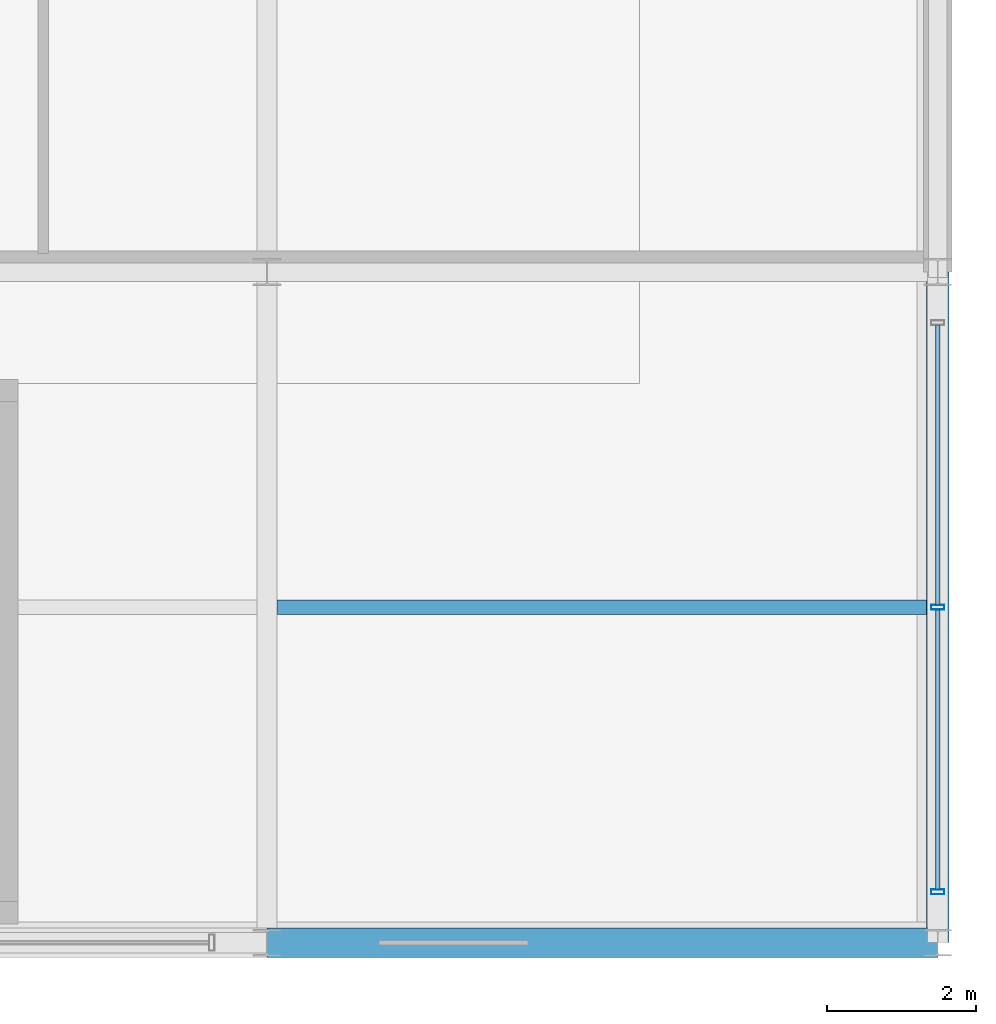
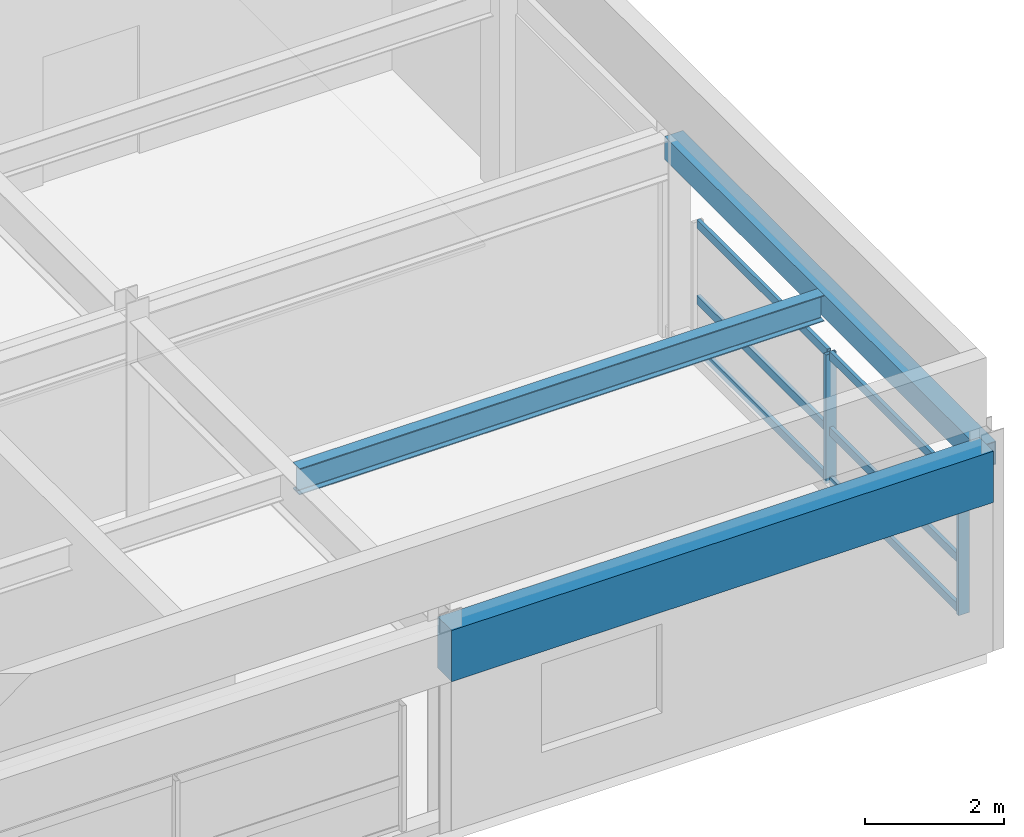
# One storey, part 52 of 108: 8 members, 3 beams, 1 element without a shape of its own.
"""IFC4 building model written with IfcOpenShell, lengths in metres."""

from ifc_helpers import new_model, si_unit, direction, frame, origin, origin_2d, place, context, subcontext, project, spatial, rectangle, hollow_rectangle, i_section, extrude, material, material_profile, profile_set, type_object, element, aggregate, save


model = new_model("IFC4")

# Units and contexts
model_context = context("Model", 3, precision=1e-05, world=origin(), true_north=direction((0.0, 1.0)))
body_context = subcontext(model_context, "Body", "Model", "MODEL_VIEW")
ifc_project = project(units=[si_unit("LENGTHUNIT", "METRE"), si_unit("AREAUNIT", "SQUARE_METRE"), si_unit("VOLUMEUNIT", "CUBIC_METRE"), si_unit("PLANEANGLEUNIT", "RADIAN"), si_unit("MASSUNIT", "GRAM", prefix="KILO")], contexts=[model_context])

# Site, building, storey
site_placement = place(None, origin())
site = spatial("IfcSite", under=ifc_project, at=site_placement, CompositionType="ELEMENT")
building_placement = place(site_placement, origin())
building = spatial("IfcBuilding", under=site, at=building_placement, Name="Kaldorvane Square Convention Centre", CompositionType="ELEMENT")
storey_placement = place(building_placement, frame((0.0, 0.0, 23.399993896484375)))
storey = spatial("IfcBuildingStorey", under=building, at=storey_placement, Name="L04", CompositionType="ELEMENT", Elevation=23.399993896484375)

# Beams
ifc_material_1 = material(Name="Steel ASTM A992 Gr. 50", Category="steel")
ifc_material_profile_1 = material_profile(ifc_material_1, i_section(OverallWidth=0.1912994384765625, OverallDepth=0.4600067138671875, WebThickness=0.0099029541015625, FlangeThickness=0.0160064697265625, FilletRadius=0.01019287109375, at=origin_2d()), Name="W18X55")
ifc_profile_set_1 = profile_set([ifc_material_profile_1], Name="Steel ASTM A992 Gr. 50")
beam_type_1 = type_object("IfcBeamType", Name="BM-JS-W18X55", PredefinedType="JOIST", material=ifc_profile_set_1)
beam_1_placement = place(storey_placement, frame((165.13330078125, 4.5, 3.2960052490234375), z_axis=(1.0, 0.0, 0.0), x_axis=(0.0, 1.0, 0.0)))
element("IfcBeam", 1, at=beam_1_placement, inside=storey, type_object=beam_type_1, Name="Secondary Floor Joist (L04)", PredefinedType="JOIST", context=body_context, shape_type="SweptSolid", body=[
    extrude(i_section(OverallWidth=0.1912994384765625, OverallDepth=0.4600067138671875, WebThickness=0.0099029541015625, FlangeThickness=0.0160064697265625, FilletRadius=0.01019287109375, at=origin_2d()), origin(), (0.0, 0.0, 1.0), 8.71429443359375),
])
ifc_material_2 = material(Name="Steel ASTM A500 Gr. C", Category="steel")
ifc_material_profile_2 = material_profile(ifc_material_2, hollow_rectangle(XDim=0.3047943115234375, YDim=0.406402587890625, WallThickness=0.0117950439453125, at=origin_2d()), Name="HSS16X12X1/2")
ifc_profile_set_2 = profile_set([ifc_material_profile_2], Name="Steel ASTM A500 Gr. C")
beam_type_2 = type_object("IfcBeamType", Name="BM-SP-HSS16", PredefinedType="SPANDREL", material=ifc_profile_set_2)
beam_2_placement = place(storey_placement, frame((174.0, 0.0, 3.3227996826171875), z_axis=(0.0, 1.0, 0.0), x_axis=(-1.0, 0.0, 0.0)))
element("IfcBeam", 2, at=beam_2_placement, inside=storey, type_object=beam_type_2, Name="End Spandrel (L04)", PredefinedType="SPANDREL", context=body_context, shape_type="SweptSolid", body=[
    extrude(hollow_rectangle(XDim=0.3047943115234375, YDim=0.406402587890625, WallThickness=0.0117950439453125, at=origin_2d()), origin(), (0.0, 0.0, 1.0), 9.0),
])
ifc_material_3 = material(Name="Concrete f'c = 42 MPa (Normalweight)", Category="concrete")
ifc_material_profile_3 = material_profile(ifc_material_3, rectangle(XDim=0.399993896484375, YDim=0.899993896484375, at=origin_2d()), Name="RCSP900X400")
ifc_profile_set_3 = profile_set([ifc_material_profile_3], Name="Concrete f'c = 42 MPa (Normalweight)")
beam_type_3 = type_object("IfcBeamType", Name="BM-SP-RC900", PredefinedType="SPANDREL", material=ifc_profile_set_3)
beam_3_placement = place(storey_placement, frame((165.0, 0.0, 3.0760040283203125), z_axis=(1.0, 0.0, 0.0), x_axis=(0.0, 1.0, 0.0)))
element("IfcBeam", 3, at=beam_3_placement, inside=storey, type_object=beam_type_3, Name="Perimeter Spandrel (L04)", PredefinedType="SPANDREL", context=body_context, shape_type="SweptSolid", body=[
    extrude(rectangle(XDim=0.399993896484375, YDim=0.899993896484375, at=origin_2d()), origin(), (0.0, 0.0, 1.0), 9.0),
])

# Curtain wall, members
ifc_material_4 = material(Name="Anodized Aluminum and Low-E Insulated Glazing", Category="aluminium")
curtain_wall_type = type_object("IfcCurtainWallType", Name="CW-UNI-P42-09", PredefinedType="USERDEFINED", material=ifc_material_4)
curtain_wall_placement = place(storey_placement, origin())
curtain_wall = element("IfcCurtainWall", 4, at=curtain_wall_placement, inside=storey, type_object=curtain_wall_type, Name="Curtain Wall CW-06 (L04)", ObjectType="UNITISED GLAZING", PredefinedType="USERDEFINED")
ifc_material_profile_4 = material_profile(ifc_material_4, hollow_rectangle(XDim=0.06500244140625, YDim=0.17999267578125, WallThickness=0.0034942626953125, at=origin_2d()), Name="CWM-180X65")
ifc_profile_set_4 = profile_set([ifc_material_profile_4], Name="Anodized Aluminum and Low-E Insulated Glazing")
member_type_1 = type_object("IfcMemberType", Name="CW-MUL-180", PredefinedType="MULLION", material=ifc_profile_set_4)
member_1_placement = place(storey_placement, frame((174.0, 0.6824951171875, 0.1500091552734375), z_axis=(0.0, 0.0, 1.0), x_axis=(0.0, 1.0, 0.0)))
member_1 = element("IfcMember", 5, at=member_1_placement, type_object=member_type_1, Name="CW-06 mullion 1", PredefinedType="MULLION", context=body_context, shape_type="SweptSolid", body=[
    extrude(hollow_rectangle(XDim=0.06500244140625, YDim=0.17999267578125, WallThickness=0.0034942626953125, at=origin_2d()), origin(), (0.0, 0.0, 1.0), 2.2599945068359375),
])
member_2_placement = place(storey_placement, frame((174.0, 4.5, 0.1500091552734375), z_axis=(0.0, 0.0, 1.0), x_axis=(0.0, 1.0, 0.0)))
member_2 = element("IfcMember", 6, at=member_2_placement, type_object=member_type_1, Name="CW-06 mullion 2", PredefinedType="MULLION", context=body_context, shape_type="SweptSolid", body=[
    extrude(hollow_rectangle(XDim=0.06500244140625, YDim=0.17999267578125, WallThickness=0.0034942626953125, at=origin_2d()), origin(), (0.0, 0.0, 1.0), 2.2599945068359375),
])
ifc_material_profile_5 = material_profile(ifc_material_4, hollow_rectangle(XDim=0.05999755859375, YDim=0.149993896484375, WallThickness=0.003204345703125, at=origin_2d()), Name="CWT-150X60")
ifc_profile_set_5 = profile_set([ifc_material_profile_5], Name="Anodized Aluminum and Low-E Insulated Glazing")
member_type_2 = type_object("IfcMemberType", Name="CW-TRN-150", PredefinedType="USERDEFINED", material=ifc_profile_set_5)
member_3_placement = place(storey_placement, frame((174.0, 0.714996337890625, 0.1800079345703125), z_axis=(0.0, 1.0, 0.0), x_axis=(-1.0, 0.0, 0.0)))
member_3 = element("IfcMember", 7, at=member_3_placement, type_object=member_type_2, Name="CW-06 transom 1.1", ObjectType="TRANSOM", PredefinedType="USERDEFINED", context=body_context, shape_type="SweptSolid", body=[
    extrude(hollow_rectangle(XDim=0.05999755859375, YDim=0.149993896484375, WallThickness=0.003204345703125, at=origin_2d()), origin(), (0.0, 0.0, 1.0), 3.75250244140625),
])
member_4_placement = place(storey_placement, frame((174.0, 0.714996337890625, 1.0500030517578125), z_axis=(0.0, 1.0, 0.0), x_axis=(-1.0, 0.0, 0.0)))
member_4 = element("IfcMember", 8, at=member_4_placement, type_object=member_type_2, Name="CW-06 transom 1.2", ObjectType="TRANSOM", PredefinedType="USERDEFINED", context=body_context, shape_type="SweptSolid", body=[
    extrude(hollow_rectangle(XDim=0.05999755859375, YDim=0.149993896484375, WallThickness=0.003204345703125, at=origin_2d()), origin(), (0.0, 0.0, 1.0), 3.75250244140625),
])
member_5_placement = place(storey_placement, frame((174.0, 0.714996337890625, 2.3800048828125), z_axis=(0.0, 1.0, 0.0), x_axis=(-1.0, 0.0, 0.0)))
member_5 = element("IfcMember", 9, at=member_5_placement, type_object=member_type_2, Name="CW-06 transom 1.3", ObjectType="TRANSOM", PredefinedType="USERDEFINED", context=body_context, shape_type="SweptSolid", body=[
    extrude(hollow_rectangle(XDim=0.05999755859375, YDim=0.149993896484375, WallThickness=0.003204345703125, at=origin_2d()), origin(), (0.0, 0.0, 1.0), 3.75250244140625),
])
member_6_placement = place(storey_placement, frame((174.0, 4.532501220703125, 0.1800079345703125), z_axis=(0.0, 1.0, 0.0), x_axis=(-1.0, 0.0, 0.0)))
member_6 = element("IfcMember", 10, at=member_6_placement, type_object=member_type_2, Name="CW-06 transom 2.1", ObjectType="TRANSOM", PredefinedType="USERDEFINED", context=body_context, shape_type="SweptSolid", body=[
    extrude(hollow_rectangle(XDim=0.05999755859375, YDim=0.149993896484375, WallThickness=0.003204345703125, at=origin_2d()), origin(), (0.0, 0.0, 1.0), 3.75250244140625),
])
member_7_placement = place(storey_placement, frame((174.0, 4.532501220703125, 1.0500030517578125), z_axis=(0.0, 1.0, 0.0), x_axis=(-1.0, 0.0, 0.0)))
member_7 = element("IfcMember", 11, at=member_7_placement, type_object=member_type_2, Name="CW-06 transom 2.2", ObjectType="TRANSOM", PredefinedType="USERDEFINED", context=body_context, shape_type="SweptSolid", body=[
    extrude(hollow_rectangle(XDim=0.05999755859375, YDim=0.149993896484375, WallThickness=0.003204345703125, at=origin_2d()), origin(), (0.0, 0.0, 1.0), 3.75250244140625),
])
member_8_placement = place(storey_placement, frame((174.0, 4.532501220703125, 2.3800048828125), z_axis=(0.0, 1.0, 0.0), x_axis=(-1.0, 0.0, 0.0)))
member_8 = element("IfcMember", 12, at=member_8_placement, type_object=member_type_2, Name="CW-06 transom 2.3", ObjectType="TRANSOM", PredefinedType="USERDEFINED", context=body_context, shape_type="SweptSolid", body=[
    extrude(hollow_rectangle(XDim=0.05999755859375, YDim=0.149993896484375, WallThickness=0.003204345703125, at=origin_2d()), origin(), (0.0, 0.0, 1.0), 3.75250244140625),
])
aggregate(curtain_wall, [member_1, member_2, member_3, member_4, member_5, member_6, member_7, member_8])

save(model, "model.ifc")
